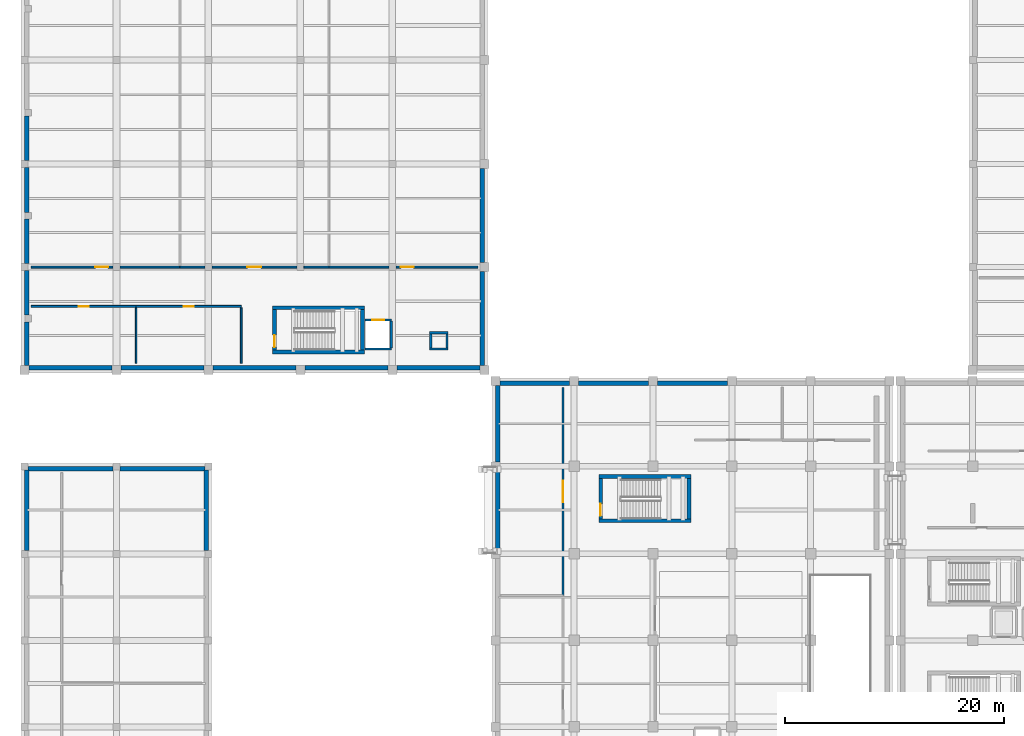
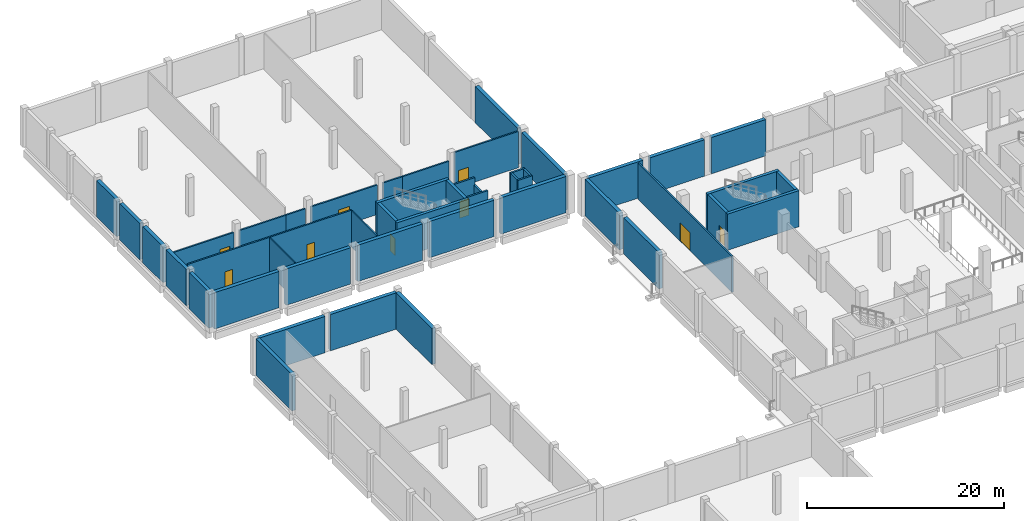
# One storey, part 16 of 31: 48 walls, 9 doors, 9 openings.
"""IFC4 building model written with IfcOpenShell, lengths in metres."""

from ifc_helpers import new_model, si_unit, direction, frame, frame_2d, origin, place, context, subcontext, project, spatial, rectangle, extrude, material, layer, layer_set, type_object, element, fill, save


model = new_model("IFC4")

# Units and contexts
model_context = context("Model", 3, precision=1e-05, world=origin(), true_north=direction((0.0, 1.0)))
body_context = subcontext(model_context, "Body", "Model", "MODEL_VIEW")
ifc_project = project(units=[si_unit("LENGTHUNIT", "METRE"), si_unit("AREAUNIT", "SQUARE_METRE"), si_unit("VOLUMEUNIT", "CUBIC_METRE"), si_unit("PLANEANGLEUNIT", "RADIAN"), si_unit("MASSUNIT", "GRAM", prefix="KILO")], contexts=[model_context])

# Site, building, storey
site_placement = place(None, origin())
site = spatial("IfcSite", under=ifc_project, at=site_placement, CompositionType="ELEMENT")
building_placement = place(site_placement, origin())
building = spatial("IfcBuilding", under=site, at=building_placement, Name="Kelarvand Opera House", CompositionType="ELEMENT")
storey_placement = place(building_placement, frame((0.0, 0.0, -4.800048828125)))
storey = spatial("IfcBuildingStorey", under=building, at=storey_placement, Name="B1", CompositionType="ELEMENT", Elevation=-4.800048828125)

# Walls
ifc_material_1 = material(Name="Acoustic double-stud gypsum partition")
ifc_layer_1 = layer(ifc_material_1, 0.14990234375, Name="Acoustic double-stud gypsum partition")
ifc_layer_set_1 = layer_set([ifc_layer_1], Name="Acoustic double-stud gypsum partition")
wall_type_1 = type_object("IfcWallType", Name="Acoustic Room Partition Wall 150", PredefinedType="PARTITIONING", material=ifc_layer_set_1)
for number, where, z_axis, x_axis, name in (
    (1, (19.199951171875, 87.800048828125, 0.0), (0.0, 0.0, 1.0), (0.0, 1.0, 0.0), "V3 B1 Partition Wall IW-150 (190)"),
    (2, (28.800048828125, 87.800048828125, 0.0), (0.0, 0.0, 1.0), (0.0, 1.0, 0.0), "V3 B1 Partition Wall IW-150 (191)"),
):
    element("IfcWall", number, at=place(storey_placement, frame(where, z_axis=z_axis, x_axis=x_axis)), inside=storey, type_object=wall_type_1, Name=name, PredefinedType="PARTITIONING", context=body_context, shape_type="SweptSolid", body=[
        extrude(rectangle(XDim=5.06005859375, YDim=0.14990234375, at=frame_2d((2.530029296875, 0.0))), origin(), (0.0, 0.0, 1.0), 4.491943359375),
    ])
ifc_material_2 = material(Name="Concrete C35/45", Category="concrete")
ifc_layer_2 = layer(ifc_material_2, 0.419921875, Name="Concrete C35/45", Category="concrete")
ifc_layer_set_2 = layer_set([ifc_layer_2], Name="Concrete C35/45")
wall_type_2 = type_object("IfcWallType", Name="Basement Perimeter Retaining Wall 420", PredefinedType="SHEAR", material=ifc_layer_set_2)
wall_1_placement = place(storey_placement, frame((52.409912109375, 85.989990234375, 0.0), z_axis=(0.0, 0.0, 1.0), x_axis=(1.0, 0.0, 0.0)))
element("IfcWall", 3, at=wall_1_placement, inside=storey, type_object=wall_type_2, Name="V2 B1 Retaining Wall 204", PredefinedType="SHEAR", context=body_context, shape_type="SweptSolid", body=[
    extrude(rectangle(XDim=6.380126953125, YDim=0.419921875, at=frame_2d((3.18994140625, 0.0))), origin(), (0.0, 0.0, 1.0), 4.5),
])
for number, where, z_axis, x_axis, name in (
    (4, (59.610107421875, 85.989990234375, 0.0), (0.0, 0.0, 1.0), (1.0, 0.0, 0.0), "V2 B1 Retaining Wall 205"),
    (5, (66.81005859375, 85.989990234375, 0.0), (0.0, 0.0, 1.0), (1.0, 0.0, 0.0), "V2 B1 Retaining Wall 206"),
):
    element("IfcWall", number, at=place(storey_placement, frame(where, z_axis=z_axis, x_axis=x_axis)), inside=storey, type_object=wall_type_2, Name=name, PredefinedType="SHEAR", context=body_context, shape_type="SweptSolid", body=[
        extrude(rectangle(XDim=6.3798828125, YDim=0.419921875, at=frame_2d((3.18994140625, 0.0))), origin(), (0.0, 0.0, 1.0), 4.5),
    ])
wall_2_placement = place(storey_placement, frame((52.2099609375, 70.81005859375, 0.0), z_axis=(0.0, 0.0, 1.0), x_axis=(0.0, 1.0, 0.0)))
element("IfcWall", 6, at=wall_2_placement, inside=storey, type_object=wall_type_2, Name="V2 B1 Retaining Wall 213", PredefinedType="SHEAR", context=body_context, shape_type="SweptSolid", body=[
    extrude(rectangle(XDim=7.179931640625, YDim=0.419921875, at=frame_2d((3.58984375, 0.0))), origin(), (0.0, 0.0, 1.0), 4.5),
])
wall_3_placement = place(storey_placement, frame((52.2099609375, 78.81005859375, 0.0), z_axis=(0.0, 0.0, 1.0), x_axis=(0.0, 1.0, 0.0)))
element("IfcWall", 7, at=wall_3_placement, inside=storey, type_object=wall_type_2, Name="V2 B1 Retaining Wall 214", PredefinedType="SHEAR", context=body_context, shape_type="SweptSolid", body=[
    extrude(rectangle(XDim=6.97998046875, YDim=0.419921875, at=frame_2d((3.489990234375, 0.0))), origin(), (0.0, 0.0, 1.0), 4.5),
])
wall_4_placement = place(storey_placement, frame((50.7900390625, 105.590087890625, 0.0), z_axis=(0.0, 0.0, 1.0), x_axis=(0.0, -1.0, 0.0)))
element("IfcWall", 8, at=wall_4_placement, inside=storey, type_object=wall_type_2, Name="V3 B1 Retaining Wall 371", PredefinedType="SHEAR", context=body_context, shape_type="SweptSolid", body=[
    extrude(rectangle(XDim=8.580078125, YDim=0.419921875, at=frame_2d((4.2900390625, 0.0))), origin(), (0.0, 0.0, 1.0), 4.5),
])
wall_5_placement = place(storey_placement, frame((50.7900390625, 96.18994140625, 0.0), z_axis=(0.0, 0.0, 1.0), x_axis=(0.0, -1.0, 0.0)))
element("IfcWall", 9, at=wall_5_placement, inside=storey, type_object=wall_type_2, Name="V3 B1 Retaining Wall 372", PredefinedType="SHEAR", context=body_context, shape_type="SweptSolid", body=[
    extrude(rectangle(XDim=8.579833984375, YDim=0.419921875, at=frame_2d((4.2900390625, 0.0))), origin(), (0.0, 0.0, 1.0), 4.5),
])
wall_6_placement = place(storey_placement, frame((9.2099609375, 87.610107421875, 0.0), z_axis=(0.0, 0.0, 1.0), x_axis=(0.0, 1.0, 0.0)))
element("IfcWall", 10, at=wall_6_placement, inside=storey, type_object=wall_type_2, Name="V3 B1 Retaining Wall 378", PredefinedType="SHEAR", context=body_context, shape_type="SweptSolid", body=[
    extrude(rectangle(XDim=3.989990234375, YDim=0.419921875, at=frame_2d((1.9951171875, 0.0))), origin(), (0.0, 0.0, 1.0), 4.5),
])
for number, where, z_axis, x_axis, name in (
    (11, (9.2099609375, 92.199951171875, 0.0), (0.0, 0.0, 1.0), (0.0, 1.0, 0.0), "V3 B1 Retaining Wall 379"),
    (12, (9.2099609375, 96.925048828125, 0.0), (0.0, 0.0, 1.0), (0.0, 1.0, 0.0), "V3 B1 Retaining Wall 380"),
    (13, (9.2099609375, 101.60009765625, 0.0), (0.0, 0.0, 1.0), (0.0, 1.0, 0.0), "V3 B1 Retaining Wall 381"),
    (14, (9.2099609375, 106.324951171875, 0.0), (0.0, 0.0, 1.0), (0.0, 1.0, 0.0), "V3 B1 Retaining Wall 382"),
):
    element("IfcWall", number, at=place(storey_placement, frame(where, z_axis=z_axis, x_axis=x_axis)), inside=storey, type_object=wall_type_2, Name=name, PredefinedType="SHEAR", context=body_context, shape_type="SweptSolid", body=[
        extrude(rectangle(XDim=4.074951171875, YDim=0.419921875, at=frame_2d((2.03759765625, 0.0))), origin(), (0.0, 0.0, 1.0), 4.5),
    ])
wall_7_placement = place(storey_placement, frame((50.590087890625, 87.409912109375, 0.0), z_axis=(0.0, 0.0, 1.0), x_axis=(-1.0, 0.0, 0.0)))
element("IfcWall", 15, at=wall_7_placement, inside=storey, type_object=wall_type_2, Name="V3 B1 Retaining Wall 386", PredefinedType="SHEAR", context=body_context, shape_type="SweptSolid", body=[
    extrude(rectangle(XDim=7.580078125, YDim=0.419921875, at=frame_2d((3.7900390625, 0.0))), origin(), (0.0, 0.0, 1.0), 4.5),
])
wall_8_placement = place(storey_placement, frame((42.18994140625, 87.409912109375, 0.0), z_axis=(0.0, 0.0, 1.0), x_axis=(-1.0, 0.0, 0.0)))
element("IfcWall", 16, at=wall_8_placement, inside=storey, type_object=wall_type_2, Name="V3 B1 Retaining Wall 387", PredefinedType="SHEAR", context=body_context, shape_type="SweptSolid", body=[
    extrude(rectangle(XDim=7.579833984375, YDim=0.419921875, at=frame_2d((3.7900390625, 0.0))), origin(), (0.0, 0.0, 1.0), 4.5),
])
wall_9_placement = place(storey_placement, frame((33.7900390625, 87.409912109375, 0.0), z_axis=(0.0, 0.0, 1.0), x_axis=(-1.0, 0.0, 0.0)))
element("IfcWall", 17, at=wall_9_placement, inside=storey, type_object=wall_type_2, Name="V3 B1 Retaining Wall 388", PredefinedType="SHEAR", context=body_context, shape_type="SweptSolid", body=[
    extrude(rectangle(XDim=7.580078125, YDim=0.419921875, at=frame_2d((3.7900390625, 0.0))), origin(), (0.0, 0.0, 1.0), 4.5),
])
wall_10_placement = place(storey_placement, frame((25.389892578125, 87.409912109375, 0.0), z_axis=(0.0, 0.0, 1.0), x_axis=(-1.0, 0.0, 0.0)))
element("IfcWall", 18, at=wall_10_placement, inside=storey, type_object=wall_type_2, Name="V3 B1 Retaining Wall 389", PredefinedType="SHEAR", context=body_context, shape_type="SweptSolid", body=[
    extrude(rectangle(XDim=7.579833984375, YDim=0.419921875, at=frame_2d((3.7900390625, 0.0))), origin(), (0.0, 0.0, 1.0), 4.5),
])
wall_11_placement = place(storey_placement, frame((16.989990234375, 87.409912109375, 0.0), z_axis=(0.0, 0.0, 1.0), x_axis=(-1.0, 0.0, 0.0)))
element("IfcWall", 19, at=wall_11_placement, inside=storey, type_object=wall_type_2, Name="V3 B1 Retaining Wall 390", PredefinedType="SHEAR", context=body_context, shape_type="SweptSolid", body=[
    extrude(rectangle(XDim=7.580078125, YDim=0.419921875, at=frame_2d((3.7900390625, 0.0))), origin(), (0.0, 0.0, 1.0), 4.5),
])
wall_12_placement = place(storey_placement, frame((9.2099609375, 70.72509765625, 0.0), z_axis=(0.0, 0.0, 1.0), x_axis=(0.0, 1.0, 0.0)))
element("IfcWall", 20, at=wall_12_placement, inside=storey, type_object=wall_type_2, Name="V4 B1 Retaining Wall 492", PredefinedType="SHEAR", context=body_context, shape_type="SweptSolid", body=[
    extrude(rectangle(XDim=7.349853515625, YDim=0.419921875, at=frame_2d((3.6748046875, 0.0))), origin(), (0.0, 0.0, 1.0), 4.5),
])
for number, where, z_axis, x_axis, name in (
    (21, (9.324951171875, 78.18994140625, 0.0), (0.0, 0.0, 1.0), (1.0, 0.0, 0.0), "V4 B1 Retaining Wall 493"),
    (22, (17.72509765625, 78.18994140625, 0.0), (0.0, 0.0, 1.0), (1.0, 0.0, 0.0), "V4 B1 Retaining Wall 494"),
):
    element("IfcWall", number, at=place(storey_placement, frame(where, z_axis=z_axis, x_axis=x_axis)), inside=storey, type_object=wall_type_2, Name=name, PredefinedType="SHEAR", context=body_context, shape_type="SweptSolid", body=[
        extrude(rectangle(XDim=7.75, YDim=0.419921875, at=frame_2d((3.875, 0.0))), origin(), (0.0, 0.0, 1.0), 4.5),
    ])
wall_13_placement = place(storey_placement, frame((25.590087890625, 78.074951171875, 0.0), z_axis=(0.0, 0.0, 1.0), x_axis=(0.0, -1.0, 0.0)))
element("IfcWall", 23, at=wall_13_placement, inside=storey, type_object=wall_type_2, Name="V4 B1 Retaining Wall 495", PredefinedType="SHEAR", context=body_context, shape_type="SweptSolid", body=[
    extrude(rectangle(XDim=7.349853515625, YDim=0.419921875, at=frame_2d((3.6748046875, 0.0))), origin(), (0.0, 0.0, 1.0), 4.5),
])
ifc_material_3 = material(Name="Concrete C40/50", Category="concrete")
ifc_layer_3 = layer(ifc_material_3, 0.35009765625, Name="Concrete C40/50", Category="concrete")
ifc_layer_set_3 = layer_set([ifc_layer_3], Name="Concrete C40/50")
wall_type_3 = type_object("IfcWallType", Name="Core Stair and Lift Shear Wall 350", PredefinedType="SHEAR", material=ifc_layer_set_3)
for number, where, z_axis, x_axis, name in (
    (24, (61.449951171875, 73.425048828125, 0.0), (0.0, 0.0, 1.0), (1.0, 0.0, 0.0), "C3 Stair Core Shear Wall S B1"),
    (25, (69.85009765625, 77.47509765625, 0.0), (0.0, 0.0, 1.0), (-1.0, 0.0, 0.0), "C3 Stair Core Shear Wall N B1"),
):
    element("IfcWall", number, at=place(storey_placement, frame(where, z_axis=z_axis, x_axis=x_axis)), inside=storey, type_object=wall_type_3, Name=name, PredefinedType="SHEAR", context=body_context, shape_type="SweptSolid", body=[
        extrude(rectangle(XDim=8.400146484375, YDim=0.35009765625, at=frame_2d((4.2001953125, 0.0))), origin(), (0.0, 0.0, 1.0), 4.47998046875),
    ])

# Wall, opening, door
wall_14_placement = place(storey_placement, frame((61.625, 73.60009765625, 0.0), z_axis=(0.0, 0.0, 1.0), x_axis=(0.0, 1.0, 0.0)))
wall_14 = element("IfcWall", 26, at=wall_14_placement, inside=storey, type_object=wall_type_3, Name="C3 Stair Core Shear Wall W B1", PredefinedType="SHEAR", context=body_context, shape_type="SweptSolid", body=[
    extrude(rectangle(XDim=3.699951171875, YDim=0.35009765625, at=frame_2d((1.85009765625, 0.0))), origin(), (0.0, 0.0, 1.0), 4.47998046875),
])
opening_1_placement = place(wall_14_placement, frame((0.280029296875, 0.0, 0.0)))
opening_1 = element("IfcOpeningElement", 27, at=opening_1_placement, cuts=wall_14, Name="Opening FD-01", PredefinedType="OPENING", context=body_context, shape_type="SweptSolid", body=[
    extrude(rectangle(XDim=1.10009765625, YDim=2.080078125, at=frame_2d((0.550048828125, 1.0400390625))), frame((0.0, 0.18505859375, 0.0), z_axis=(0.0, -1.0, 0.0), x_axis=(1.0, 0.0, 0.0)), (0.0, 0.0, 1.0), 0.3701171875),
])
ifc_material_4 = material(Name="Fire-rated brushed stainless steel", Category="steel")
door_type_1 = type_object("IfcDoorType", Name="Steel Fire-Rated Stair and FF Lobby Door 1100x2080", OperationType="NOTDEFINED", PredefinedType="DOOR", material=ifc_material_4)
door_1_placement = place(opening_1_placement, origin())
door_1 = element("IfcDoor", 28, at=door_1_placement, inside=storey, type_object=door_type_1, Name="C3 Stair ST-03 Fire Door B1", OperationType="SINGLE_SWING_LEFT", OverallHeight=2.080078125, OverallWidth=1.10009765625, PredefinedType="DOOR", context=body_context, shape_type="SweptSolid", body=[
    extrude(rectangle(XDim=1.10009765625, YDim=2.080078125, at=frame_2d((0.550048828125, 1.0400390625))), frame((0.0, 0.02490234375, 0.0), z_axis=(0.0, -1.0, 0.0), x_axis=(1.0, 0.0, 0.0)), (0.0, 0.0, 1.0), 0.050048828125),
])
fill(opening_1, door_1)

# Walls
wall_15_placement = place(storey_placement, frame((69.675048828125, 77.300048828125, 0.0), z_axis=(0.0, 0.0, 1.0), x_axis=(0.0, -1.0, 0.0)))
element("IfcWall", 29, at=wall_15_placement, inside=storey, type_object=wall_type_3, Name="C3 Stair Core Shear Wall E B1", PredefinedType="SHEAR", context=body_context, shape_type="SweptSolid", body=[
    extrude(rectangle(XDim=3.699951171875, YDim=0.35009765625, at=frame_2d((1.85009765625, 0.0))), origin(), (0.0, 0.0, 1.0), 4.47998046875),
])
for number, where, z_axis, x_axis, name in (
    (30, (31.64990234375, 88.824951171875, 0.0), (0.0, 0.0, 1.0), (1.0, 0.0, 0.0), "C5 Stair Core Shear Wall S B1"),
    (31, (40.050048828125, 92.875, 0.0), (0.0, 0.0, 1.0), (-1.0, 0.0, 0.0), "C5 Stair Core Shear Wall N B1"),
):
    element("IfcWall", number, at=place(storey_placement, frame(where, z_axis=z_axis, x_axis=x_axis)), inside=storey, type_object=wall_type_3, Name=name, PredefinedType="SHEAR", context=body_context, shape_type="SweptSolid", body=[
        extrude(rectangle(XDim=8.400146484375, YDim=0.35009765625, at=frame_2d((4.2001953125, 0.0))), origin(), (0.0, 0.0, 1.0), 4.5),
    ])

# Wall, opening, door
wall_16_placement = place(storey_placement, frame((31.824951171875, 89.0, 0.0), z_axis=(0.0, 0.0, 1.0), x_axis=(0.0, 1.0, 0.0)))
wall_16 = element("IfcWall", 32, at=wall_16_placement, inside=storey, type_object=wall_type_3, Name="C5 Stair Core Shear Wall W B1", PredefinedType="SHEAR", context=body_context, shape_type="SweptSolid", body=[
    extrude(rectangle(XDim=3.699951171875, YDim=0.35009765625, at=frame_2d((1.85009765625, 0.0))), origin(), (0.0, 0.0, 1.0), 4.5),
])
opening_2_placement = place(wall_16_placement, frame((0.280029296875, 0.0, 0.0)))
opening_2 = element("IfcOpeningElement", 33, at=opening_2_placement, cuts=wall_16, Name="Opening FD-01", PredefinedType="OPENING", context=body_context, shape_type="SweptSolid", body=[
    extrude(rectangle(XDim=1.10009765625, YDim=2.080078125, at=frame_2d((0.550048828125, 1.0400390625))), frame((0.0, 0.18505859375, 0.0), z_axis=(0.0, -1.0, 0.0), x_axis=(1.0, 0.0, 0.0)), (0.0, 0.0, 1.0), 0.3701171875),
])
door_2_placement = place(opening_2_placement, origin())
door_2 = element("IfcDoor", 34, at=door_2_placement, inside=storey, type_object=door_type_1, Name="C5 Stair ST-05 Fire Door B1", OperationType="SINGLE_SWING_LEFT", OverallHeight=2.080078125, OverallWidth=1.10009765625, PredefinedType="DOOR", context=body_context, shape_type="SweptSolid", body=[
    extrude(rectangle(XDim=1.10009765625, YDim=2.080078125, at=frame_2d((0.550048828125, 1.0400390625))), frame((0.0, 0.02490234375, 0.0), z_axis=(0.0, -1.0, 0.0), x_axis=(1.0, 0.0, 0.0)), (0.0, 0.0, 1.0), 0.050048828125),
])
fill(opening_2, door_2)

# Wall
wall_17_placement = place(storey_placement, frame((39.875, 92.699951171875, 0.0), z_axis=(0.0, 0.0, 1.0), x_axis=(0.0, -1.0, 0.0)))
element("IfcWall", 35, at=wall_17_placement, inside=storey, type_object=wall_type_3, Name="C5 Stair Core Shear Wall E B1", PredefinedType="SHEAR", context=body_context, shape_type="SweptSolid", body=[
    extrude(rectangle(XDim=3.699951171875, YDim=0.35009765625, at=frame_2d((1.85009765625, 0.0))), origin(), (0.0, 0.0, 1.0), 4.5),
])

# Wall, opening, door
ifc_layer_4 = layer(ifc_material_2, 0.179931640625, Name="Concrete C35/45", Category="concrete")
ifc_layer_set_4 = layer_set([ifc_layer_4], Name="Concrete C35/45")
wall_type_4 = type_object("IfcWallType", Name="Corridor Fire-Rated Partition Wall 180 EI90", PredefinedType="PARTITIONING", material=ifc_layer_set_4)
wall_18_placement = place(storey_placement, frame((58.199951171875, 66.60009765625, 0.0), z_axis=(0.0, 0.0, 1.0), x_axis=(0.0, 1.0, 0.0)))
wall_18 = element("IfcWall", 36, at=wall_18_placement, inside=storey, type_object=wall_type_4, Name="V2 B1 Partition Wall IW-90 (173)", PredefinedType="PARTITIONING", context=body_context, shape_type="SweptSolid", body=[
    extrude(rectangle(XDim=19.0, YDim=0.179931640625, at=frame_2d((9.5, 0.0))), origin(), (0.0, 0.0, 1.0), 4.47216796875),
])
opening_3_placement = place(wall_18_placement, frame((8.5, 0.0, 0.0)))
opening_3 = element("IfcOpeningElement", 37, at=opening_3_placement, cuts=wall_18, Name="Opening D-17", PredefinedType="OPENING", context=body_context, shape_type="SweptSolid", body=[
    extrude(rectangle(XDim=2.0, YDim=2.280029296875, at=frame_2d((1.0, 1.14013671875))), frame((0.0, 0.10009765625, 0.0), z_axis=(0.0, -1.0, 0.0), x_axis=(1.0, 0.0, 0.0)), (0.0, 0.0, 1.0), 0.199951171875),
])
ifc_material_5 = material(Name="Acoustic walnut-veneered hardwood", Category="wood")
door_type_2 = type_object("IfcDoorType", Name="Workshop Scenery Double Door 2000x2280", OperationType="NOTDEFINED", PredefinedType="DOOR", material=ifc_material_5)
door_3_placement = place(opening_3_placement, origin())
door_3 = element("IfcDoor", 38, at=door_3_placement, inside=storey, type_object=door_type_2, Name="V2 B1 Door D-17 (72)", OperationType="DOUBLE_DOOR_SINGLE_SWING", OverallHeight=2.280029296875, OverallWidth=2.0, PredefinedType="DOOR", context=body_context, shape_type="SweptSolid", body=[
    extrude(rectangle(XDim=2.0, YDim=2.280029296875, at=frame_2d((1.0, 1.14013671875))), frame((0.0, 0.02490234375, 0.0), z_axis=(0.0, -1.0, 0.0), x_axis=(1.0, 0.0, 0.0)), (0.0, 0.0, 1.0), 0.050048828125),
])
fill(opening_3, door_3)

wall_19_placement = place(storey_placement, frame((9.60009765625, 96.60009765625, 0.0), z_axis=(0.0, 0.0, 1.0), x_axis=(1.0, 0.0, 0.0)))
wall_19 = element("IfcWall", 39, at=wall_19_placement, inside=storey, type_object=wall_type_4, Name="V3 B1 Partition Wall IW-90 (180)", PredefinedType="PARTITIONING", context=body_context, shape_type="SweptSolid", body=[
    extrude(rectangle(XDim=7.474853515625, YDim=0.179931640625, at=frame_2d((3.7373046875, 0.0))), origin(), (0.0, 0.0, 1.0), 3.64208984375),
])
opening_4_placement = place(wall_19_placement, frame((5.873046875, 0.0, 0.0)))
opening_4 = element("IfcOpeningElement", 40, at=opening_4_placement, cuts=wall_19, Name="Opening D-20", PredefinedType="OPENING", context=body_context, shape_type="SweptSolid", body=[
    extrude(rectangle(XDim=1.159912109375, YDim=2.10009765625, at=frame_2d((0.580078125, 1.050048828125))), frame((0.0, 0.10009765625, 0.0), z_axis=(0.0, -1.0, 0.0), x_axis=(1.0, 0.0, 0.0)), (0.0, 0.0, 1.0), 0.199951171875),
])
door_type_3 = type_object("IfcDoorType", Name="Library Reading Room Door 1160x2100", OperationType="NOTDEFINED", PredefinedType="DOOR", material=ifc_material_5)
door_4_placement = place(opening_4_placement, origin())
door_4 = element("IfcDoor", 41, at=door_4_placement, inside=storey, type_object=door_type_3, Name="V3 B1 Door D-20 (77)", OperationType="SINGLE_SWING_LEFT", OverallHeight=2.10009765625, OverallWidth=1.159912109375, PredefinedType="DOOR", context=body_context, shape_type="SweptSolid", body=[
    extrude(rectangle(XDim=1.159912109375, YDim=2.10009765625, at=frame_2d((0.580078125, 1.050048828125))), frame((0.0, 0.02490234375, 0.0), z_axis=(0.0, -1.0, 0.0), x_axis=(1.0, 0.0, 0.0)), (0.0, 0.0, 1.0), 0.050048828125),
])
fill(opening_4, door_4)

# Walls
wall_20_placement = place(storey_placement, frame((17.72509765625, 96.60009765625, 0.0), z_axis=(0.0, 0.0, 1.0), x_axis=(1.0, 0.0, 0.0)))
element("IfcWall", 42, at=wall_20_placement, inside=storey, type_object=wall_type_4, Name="V3 B1 Partition Wall IW-90 (181)", PredefinedType="PARTITIONING", context=body_context, shape_type="SweptSolid", body=[
    extrude(rectangle(XDim=5.474853515625, YDim=0.179931640625, at=frame_2d((2.7373046875, 0.0))), origin(), (0.0, 0.0, 1.0), 3.64208984375),
])
wall_21_placement = place(storey_placement, frame((23.199951171875, 96.60009765625, 0.0), z_axis=(0.0, 0.0, 1.0), x_axis=(1.0, 0.0, 0.0)))
element("IfcWall", 43, at=wall_21_placement, inside=storey, type_object=wall_type_4, Name="V3 B1 Partition Wall IW-90 (183)", PredefinedType="PARTITIONING", context=body_context, shape_type="SweptSolid", body=[
    extrude(rectangle(XDim=2.275146484375, YDim=0.179931640625, at=frame_2d((1.1376953125, 0.0))), origin(), (0.0, 0.0, 1.0), 3.64208984375),
])

# Wall, opening, door
wall_22_placement = place(storey_placement, frame((26.125, 96.60009765625, 0.0), z_axis=(0.0, 0.0, 1.0), x_axis=(1.0, 0.0, 0.0)))
wall_22 = element("IfcWall", 44, at=wall_22_placement, inside=storey, type_object=wall_type_4, Name="V3 B1 Partition Wall IW-90 (184)", PredefinedType="PARTITIONING", context=body_context, shape_type="SweptSolid", body=[
    extrude(rectangle(XDim=7.75, YDim=0.179931640625, at=frame_2d((3.875, 0.0))), origin(), (0.0, 0.0, 1.0), 3.64208984375),
])
opening_5_placement = place(wall_22_placement, frame((3.235107421875, 0.0, 0.0)))
opening_5 = element("IfcOpeningElement", 45, at=opening_5_placement, cuts=wall_22, Name="Opening D-11", PredefinedType="OPENING", context=body_context, shape_type="SweptSolid", body=[
    extrude(rectangle(XDim=1.280029296875, YDim=2.139892578125, at=frame_2d((0.64013671875, 1.06982421875))), frame((0.0, 0.10009765625, 0.0), z_axis=(0.0, -1.0, 0.0), x_axis=(1.0, 0.0, 0.0)), (0.0, 0.0, 1.0), 0.199951171875),
])
door_type_4 = type_object("IfcDoorType", Name="Instrument Store Leaf-and-Half Door 1280x2140", OperationType="NOTDEFINED", PredefinedType="DOOR", material=ifc_material_5)
door_5_placement = place(opening_5_placement, origin())
door_5 = element("IfcDoor", 46, at=door_5_placement, inside=storey, type_object=door_type_4, Name="V3 B1 Door D-11 (78)", OperationType="SINGLE_SWING_RIGHT", OverallHeight=2.139892578125, OverallWidth=1.280029296875, PredefinedType="DOOR", context=body_context, shape_type="SweptSolid", body=[
    extrude(rectangle(XDim=1.280029296875, YDim=2.139892578125, at=frame_2d((0.64013671875, 1.06982421875))), frame((0.0, 0.02490234375, 0.0), z_axis=(0.0, -1.0, 0.0), x_axis=(1.0, 0.0, 0.0)), (0.0, 0.0, 1.0), 0.050048828125),
])
fill(opening_5, door_5)

# Walls
wall_23_placement = place(storey_placement, frame((34.52490234375, 96.60009765625, 0.0), z_axis=(0.0, 0.0, 1.0), x_axis=(1.0, 0.0, 0.0)))
element("IfcWall", 47, at=wall_23_placement, inside=storey, type_object=wall_type_4, Name="V3 B1 Partition Wall IW-90 (185)", PredefinedType="PARTITIONING", context=body_context, shape_type="SweptSolid", body=[
    extrude(rectangle(XDim=2.275146484375, YDim=0.179931640625, at=frame_2d((1.1376953125, 0.0))), origin(), (0.0, 0.0, 1.0), 3.64208984375),
])
wall_24_placement = place(storey_placement, frame((36.800048828125, 96.60009765625, 0.0), z_axis=(0.0, 0.0, 1.0), x_axis=(1.0, 0.0, 0.0)))
element("IfcWall", 48, at=wall_24_placement, inside=storey, type_object=wall_type_4, Name="V3 B1 Partition Wall IW-90 (187)", PredefinedType="PARTITIONING", context=body_context, shape_type="SweptSolid", body=[
    extrude(rectangle(XDim=5.474853515625, YDim=0.179931640625, at=frame_2d((2.7373046875, 0.0))), origin(), (0.0, 0.0, 1.0), 3.64208984375),
])

# Wall, opening, door
wall_25_placement = place(storey_placement, frame((42.925048828125, 96.60009765625, 0.0), z_axis=(0.0, 0.0, 1.0), x_axis=(1.0, 0.0, 0.0)))
wall_25 = element("IfcWall", 49, at=wall_25_placement, inside=storey, type_object=wall_type_4, Name="V3 B1 Partition Wall IW-90 (188)", PredefinedType="PARTITIONING", context=body_context, shape_type="SweptSolid", body=[
    extrude(rectangle(XDim=7.474853515625, YDim=0.179931640625, at=frame_2d((3.7373046875, 0.0))), origin(), (0.0, 0.0, 1.0), 4.491943359375),
])
opening_6_placement = place(wall_25_placement, frame((0.43994140625, 0.0, 0.0)))
opening_6 = element("IfcOpeningElement", 50, at=opening_6_placement, cuts=wall_25, Name="Opening D-06", PredefinedType="OPENING", context=body_context, shape_type="SweptSolid", body=[
    extrude(rectangle(XDim=1.199951171875, YDim=2.10009765625, at=frame_2d((0.60009765625, 1.050048828125))), frame((0.0, 0.10009765625, 0.0), z_axis=(0.0, -1.0, 0.0), x_axis=(1.0, 0.0, 0.0)), (0.0, 0.0, 1.0), 0.199951171875),
])
door_type_5 = type_object("IfcDoorType", Name="Accessible Suite Timber Door 1200x2100", OperationType="NOTDEFINED", PredefinedType="DOOR", material=ifc_material_5)
door_6_placement = place(opening_6_placement, origin())
door_6 = element("IfcDoor", 51, at=door_6_placement, inside=storey, type_object=door_type_5, Name="V3 B1 Door D-06 (79)", OperationType="SINGLE_SWING_LEFT", OverallHeight=2.10009765625, OverallWidth=1.199951171875, PredefinedType="DOOR", context=body_context, shape_type="SweptSolid", body=[
    extrude(rectangle(XDim=1.199951171875, YDim=2.10009765625, at=frame_2d((0.60009765625, 1.050048828125))), frame((0.0, 0.02490234375, 0.0), z_axis=(0.0, -1.0, 0.0), x_axis=(1.0, 0.0, 0.0)), (0.0, 0.0, 1.0), 0.050048828125),
])
fill(opening_6, door_6)

wall_26_placement = place(storey_placement, frame((9.60009765625, 93.0, 0.0), z_axis=(0.0, 0.0, 1.0), x_axis=(1.0, 0.0, 0.0)))
wall_26 = element("IfcWall", 52, at=wall_26_placement, inside=storey, type_object=wall_type_4, Name="V3 B1 Partition Wall IW-90 (189)", PredefinedType="PARTITIONING", context=body_context, shape_type="SweptSolid", body=[
    extrude(rectangle(XDim=9.599853515625, YDim=0.179931640625, at=frame_2d((4.7998046875, 0.0))), origin(), (0.0, 0.0, 1.0), 4.491943359375),
])
opening_7_placement = place(wall_26_placement, frame((4.340087890625, 0.0, 0.0)))
opening_7 = element("IfcOpeningElement", 53, at=opening_7_placement, cuts=wall_26, Name="Opening D-01", PredefinedType="OPENING", context=body_context, shape_type="SweptSolid", body=[
    extrude(rectangle(XDim=0.919921875, YDim=2.050048828125, at=frame_2d((0.4599609375, 1.02490234375))), frame((0.0, 0.10009765625, 0.0), z_axis=(0.0, -1.0, 0.0), x_axis=(1.0, 0.0, 0.0)), (0.0, 0.0, 1.0), 0.199951171875),
])
door_type_6 = type_object("IfcDoorType", Name="Solid Timber Dressing and WC Door 920x2050", OperationType="NOTDEFINED", PredefinedType="DOOR", material=ifc_material_5)
door_7_placement = place(opening_7_placement, origin())
door_7 = element("IfcDoor", 54, at=door_7_placement, inside=storey, type_object=door_type_6, Name="V3 B1 Door D-01 (80)", OperationType="SINGLE_SWING_RIGHT", OverallHeight=2.050048828125, OverallWidth=0.919921875, PredefinedType="DOOR", context=body_context, shape_type="SweptSolid", body=[
    extrude(rectangle(XDim=0.919921875, YDim=2.050048828125, at=frame_2d((0.4599609375, 1.02490234375))), frame((0.0, 0.02490234375, 0.0), z_axis=(0.0, -1.0, 0.0), x_axis=(1.0, 0.0, 0.0)), (0.0, 0.0, 1.0), 0.050048828125),
])
fill(opening_7, door_7)

wall_27_placement = place(storey_placement, frame((19.199951171875, 93.0, 0.0), z_axis=(0.0, 0.0, 1.0), x_axis=(1.0, 0.0, 0.0)))
wall_27 = element("IfcWall", 55, at=wall_27_placement, inside=storey, type_object=wall_type_4, Name="V3 B1 Partition Wall IW-90 (192)", PredefinedType="PARTITIONING", context=body_context, shape_type="SweptSolid", body=[
    extrude(rectangle(XDim=9.60009765625, YDim=0.179931640625, at=frame_2d((4.800048828125, 0.0))), origin(), (0.0, 0.0, 1.0), 4.491943359375),
])
opening_8_placement = place(wall_27_placement, frame((4.340087890625, 0.0, 0.0)))
opening_8 = element("IfcOpeningElement", 56, at=opening_8_placement, cuts=wall_27, Name="Opening D-01", PredefinedType="OPENING", context=body_context, shape_type="SweptSolid", body=[
    extrude(rectangle(XDim=0.919921875, YDim=2.050048828125, at=frame_2d((0.4599609375, 1.02490234375))), frame((0.0, 0.10009765625, 0.0), z_axis=(0.0, -1.0, 0.0), x_axis=(1.0, 0.0, 0.0)), (0.0, 0.0, 1.0), 0.199951171875),
])
door_8_placement = place(opening_8_placement, origin())
door_8 = element("IfcDoor", 57, at=door_8_placement, inside=storey, type_object=door_type_6, Name="V3 B1 Door D-01 (81)", OperationType="SINGLE_SWING_LEFT", OverallHeight=2.050048828125, OverallWidth=0.919921875, PredefinedType="DOOR", context=body_context, shape_type="SweptSolid", body=[
    extrude(rectangle(XDim=0.919921875, YDim=2.050048828125, at=frame_2d((0.4599609375, 1.02490234375))), frame((0.0, 0.02490234375, 0.0), z_axis=(0.0, -1.0, 0.0), x_axis=(1.0, 0.0, 0.0)), (0.0, 0.0, 1.0), 0.050048828125),
])
fill(opening_8, door_8)

# Walls
ifc_layer_5 = layer(ifc_material_2, 0.199951171875, Name="Concrete C35/45", Category="concrete")
ifc_layer_set_5 = layer_set([ifc_layer_5], Name="Concrete C35/45")
wall_type_5 = type_object("IfcWallType", Name="Lift and Riser Shaft Enclosure Wall 200 EI120", PredefinedType="PARTITIONING", material=ifc_layer_set_5)
for number, where, z_axis, x_axis, name in (
    (58, (46.0, 89.10009765625, 0.0), (0.0, 0.0, 1.0), (1.0, 0.0, 0.0), "RSR-V3 B1 Riser Shaft Wall 53"),
    (59, (47.699951171875, 90.60009765625, 0.0), (0.0, 0.0, 1.0), (-1.0, 0.0, 0.0), "RSR-V3 B1 Riser Shaft Wall 54"),
):
    element("IfcWall", number, at=place(storey_placement, frame(where, z_axis=z_axis, x_axis=x_axis)), inside=storey, type_object=wall_type_5, Name=name, PredefinedType="PARTITIONING", context=body_context, shape_type="SweptSolid", body=[
        extrude(rectangle(XDim=1.699951171875, YDim=0.199951171875, at=frame_2d((0.85009765625, 0.0))), origin(), (0.0, 0.0, 1.0), 4.5),
    ])
for number, where, z_axis, x_axis, name in (
    (60, (46.10009765625, 89.199951171875, 0.0), (0.0, 0.0, 1.0), (0.0, 1.0, 0.0), "RSR-V3 B1 Riser Shaft Wall 55"),
    (61, (47.60009765625, 90.5, 0.0), (0.0, 0.0, 1.0), (0.0, -1.0, 0.0), "RSR-V3 B1 Riser Shaft Wall 56"),
):
    element("IfcWall", number, at=place(storey_placement, frame(where, z_axis=z_axis, x_axis=x_axis)), inside=storey, type_object=wall_type_5, Name=name, PredefinedType="PARTITIONING", context=body_context, shape_type="SweptSolid", body=[
        extrude(rectangle(XDim=1.300048828125, YDim=0.199951171875, at=frame_2d((0.64990234375, 0.0))), origin(), (0.0, 0.0, 1.0), 4.5),
    ])
wall_28_placement = place(storey_placement, frame((40.10009765625, 89.10009765625, 0.0), z_axis=(0.0, 0.0, 1.0), x_axis=(1.0, 0.0, 0.0)))
element("IfcWall", 62, at=wall_28_placement, inside=storey, type_object=wall_type_5, Name="V3 B1 Partition Wall SW-200 (128)", PredefinedType="PARTITIONING", context=body_context, shape_type="SweptSolid", body=[
    extrude(rectangle(XDim=2.39990234375, YDim=0.199951171875, at=frame_2d((1.199951171875, 0.0))), origin(), (0.0, 0.0, 1.0), 4.491943359375),
])

# Wall, opening, door
wall_29_placement = place(storey_placement, frame((42.5, 91.75, 0.0), z_axis=(0.0, 0.0, 1.0), x_axis=(-1.0, 0.0, 0.0)))
wall_29 = element("IfcWall", 63, at=wall_29_placement, inside=storey, type_object=wall_type_5, Name="V3 B1 Partition Wall SW-200 (129)", PredefinedType="PARTITIONING", context=body_context, shape_type="SweptSolid", body=[
    extrude(rectangle(XDim=2.39990234375, YDim=0.199951171875, at=frame_2d((1.199951171875, 0.0))), origin(), (0.0, 0.0, 1.0), 4.491943359375),
])
opening_9_placement = place(wall_29_placement, frame((0.64990234375, 0.0, 0.0)))
opening_9 = element("IfcOpeningElement", 64, at=opening_9_placement, cuts=wall_29, Name="Opening LD-01", PredefinedType="OPENING", context=body_context, shape_type="SweptSolid", body=[
    extrude(rectangle(XDim=1.10009765625, YDim=2.14990234375, at=frame_2d((0.550048828125, 1.074951171875))), frame((0.0, 0.10986328125, 0.0), z_axis=(0.0, -1.0, 0.0), x_axis=(1.0, 0.0, 0.0)), (0.0, 0.0, 1.0), 0.219970703125),
])
door_type_7 = type_object("IfcDoorType", Name="Passenger Lift Sliding Landing Door 1100x2150", OperationType="SLIDING_TO_LEFT", PredefinedType="DOOR", material=ifc_material_4)
door_9_placement = place(opening_9_placement, origin())
door_9 = element("IfcDoor", 65, at=door_9_placement, inside=storey, type_object=door_type_7, Name="V3 B1 Door LD-01 (54)", OperationType="SLIDING_TO_LEFT", OverallHeight=2.14990234375, OverallWidth=1.10009765625, PredefinedType="DOOR", context=body_context, shape_type="SweptSolid", body=[
    extrude(rectangle(XDim=1.10009765625, YDim=2.14990234375, at=frame_2d((0.550048828125, 1.074951171875))), frame((0.0, 0.02490234375, 0.0), z_axis=(0.0, -1.0, 0.0), x_axis=(1.0, 0.0, 0.0)), (0.0, 0.0, 1.0), 0.050048828125),
])
fill(opening_9, door_9)

# Wall
wall_30_placement = place(storey_placement, frame((42.5, 91.64990234375, 0.0), z_axis=(0.0, 0.0, 1.0), x_axis=(0.0, -1.0, 0.0)))
element("IfcWall", 66, at=wall_30_placement, inside=storey, type_object=wall_type_5, Name="V3 B1 Partition Wall SW-200 (130)", PredefinedType="PARTITIONING", context=body_context, shape_type="SweptSolid", body=[
    extrude(rectangle(XDim=2.449951171875, YDim=0.199951171875, at=frame_2d((1.22509765625, 0.0))), origin(), (0.0, 0.0, 1.0), 3.592041015625),
])

save(model, "model.ifc")
